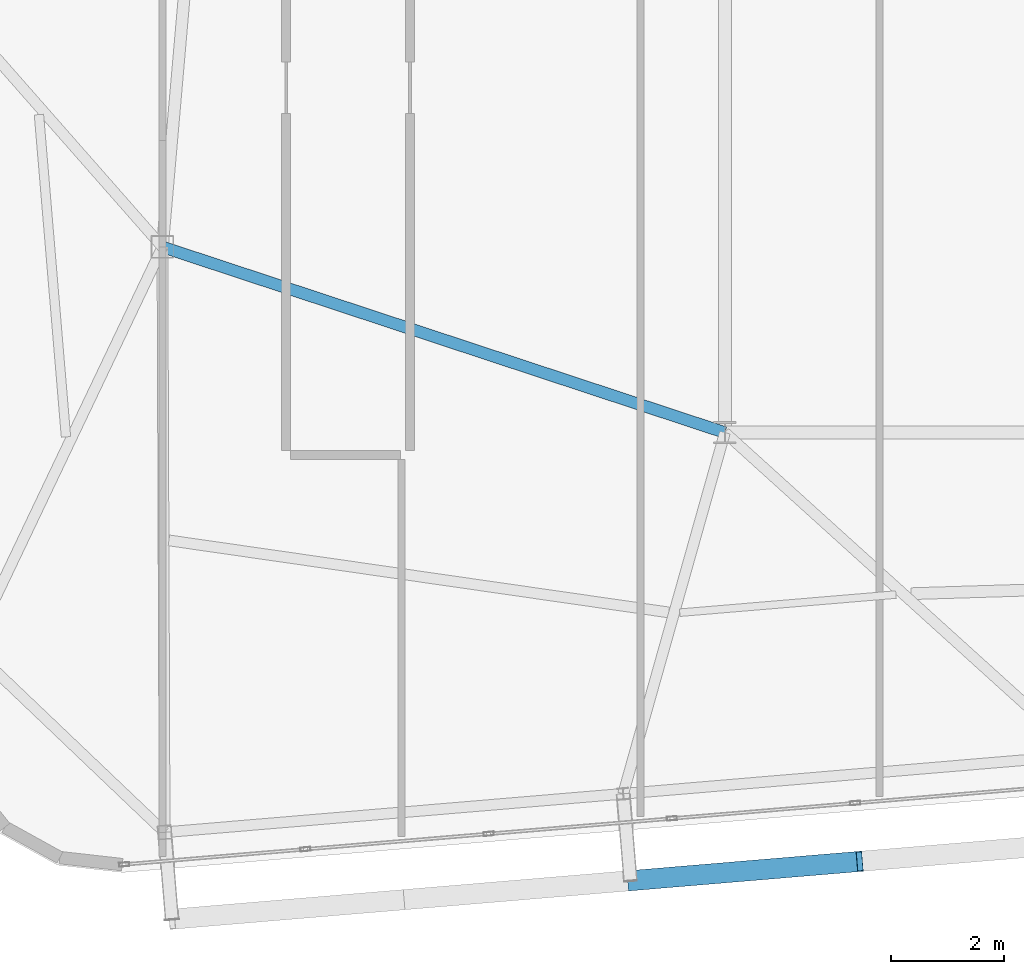
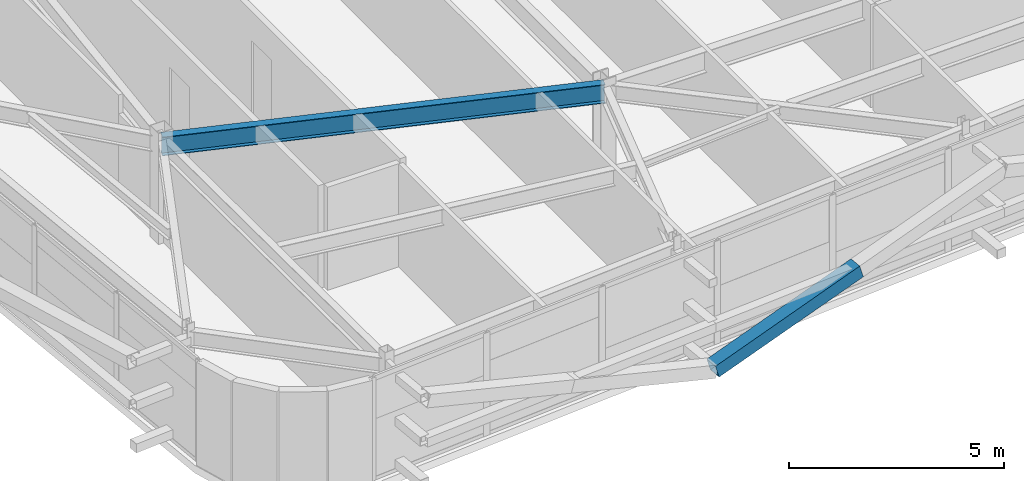
# One storey, part 10 of 46: 1 beam, 1 member.
"""IFC4 building model written with IfcOpenShell, lengths in metres."""

from ifc_helpers import new_model, si_unit, direction, frame, origin, origin_2d, place, context, subcontext, project, spatial, hollow_rectangle, i_section, extrude, source, transform, mapped, material, material_profile, profile_set, type_object, element, save


model = new_model("IFC4")

# Units and contexts
model_context = context("Model", 3, precision=1e-05, world=origin(), true_north=direction((0.0, 1.0)))
body_context = subcontext(model_context, "Body", "Model", "MODEL_VIEW")
ifc_project = project(units=[si_unit("LENGTHUNIT", "METRE"), si_unit("AREAUNIT", "SQUARE_METRE"), si_unit("VOLUMEUNIT", "CUBIC_METRE"), si_unit("PLANEANGLEUNIT", "RADIAN"), si_unit("MASSUNIT", "GRAM", prefix="KILO")], contexts=[model_context])

# Site, building, storey
site_placement = place(None, origin())
site = spatial("IfcSite", under=ifc_project, at=site_placement, CompositionType="ELEMENT")
building_placement = place(site_placement, origin())
building = spatial("IfcBuilding", under=site, at=building_placement, Name="Taldren Reach Tower", CompositionType="ELEMENT")
storey_placement = place(building_placement, frame((0.0, 0.0, 194.60009765625)))
storey = spatial("IfcBuildingStorey", under=building, at=storey_placement, Name="L59", CompositionType="ELEMENT", Elevation=194.60009765625)

# Beam
ifc_material_1 = material(Name="Steel Gr 350 (350PLUS)", Category="steel")
ifc_material_profile_1 = material_profile(ifc_material_1, i_section(OverallWidth=0.208984375, OverallDepth=0.532958984375, WebThickness=0.01025390625, FlangeThickness=0.015625, at=origin_2d()), Name="530UB92.4")
ifc_profile_set_1 = profile_set([ifc_material_profile_1], Name="Steel Gr 350 (350PLUS)")
beam_type = type_object("IfcBeamType", Name="BM-UB530A", PredefinedType="BEAM", material=ifc_profile_set_1)
shared_shape_1 = source(origin(), body_context, "Body", "SweptSolid", [
    extrude(i_section(OverallWidth=0.208984375, OverallDepth=0.532958984375, WebThickness=0.01025390625, FlangeThickness=0.015625, at=origin_2d()), origin(), (0.0, 0.0, 1.0), 10.530517578125),
])
beam_placement = place(storey_placement, frame((18.0, 12.5, 2.663330078125), z_axis=(0.949627269203, -0.313381635689, 0.0), x_axis=(0.313381635689, 0.949627269203, 0.0)))
element("IfcBeam", 1, at=beam_placement, inside=storey, type_object=beam_type, Name="Core-spine girder L59-SP10", PredefinedType="BEAM", context=body_context, shape_type="MappedRepresentation", body=[
    mapped(shared_shape_1, transform((0.0, 0.0, 0.0), scale=1.0)),
])

# Member
ifc_material_2 = material(Name="Steel Gr 450 (C450L0)", Category="steel")
ifc_material_profile_2 = material_profile(ifc_material_2, hollow_rectangle(XDim=0.360107421875, YDim=0.360107421875, WallThickness=0.0126953125, at=origin_2d()), Name="360x360x12.7SHS")
ifc_profile_set_2 = profile_set([ifc_material_profile_2], Name="Steel Gr 450 (C450L0)")
member_type = type_object("IfcMemberType", Name="MB-EXO356", PredefinedType="BRACE", material=ifc_profile_set_2)
shared_shape_2 = source(origin(), body_context, "Body", "SweptSolid", [
    extrude(hollow_rectangle(XDim=0.360107421875, YDim=0.360107421875, WallThickness=0.0126953125, at=origin_2d()), origin(), (0.0, 0.0, 1.0), 4.2666015625),
])
member_placement = place(storey_placement, frame((26.320556640625, 1.23388671875, 0.219970703125), z_axis=(0.955244723646, 0.080223619417, 0.284730906006), x_axis=(-0.083687662192, 0.996492034688, 0.0)))
element("IfcMember", 2, at=member_placement, inside=storey, type_object=member_type, Name="Exoskeleton Diagrid Brace B4-S2 L59", PredefinedType="BRACE", context=body_context, shape_type="MappedRepresentation", body=[
    mapped(shared_shape_2, transform((0.0, 0.0, 0.0), scale=1.0)),
])

save(model, "model.ifc")
